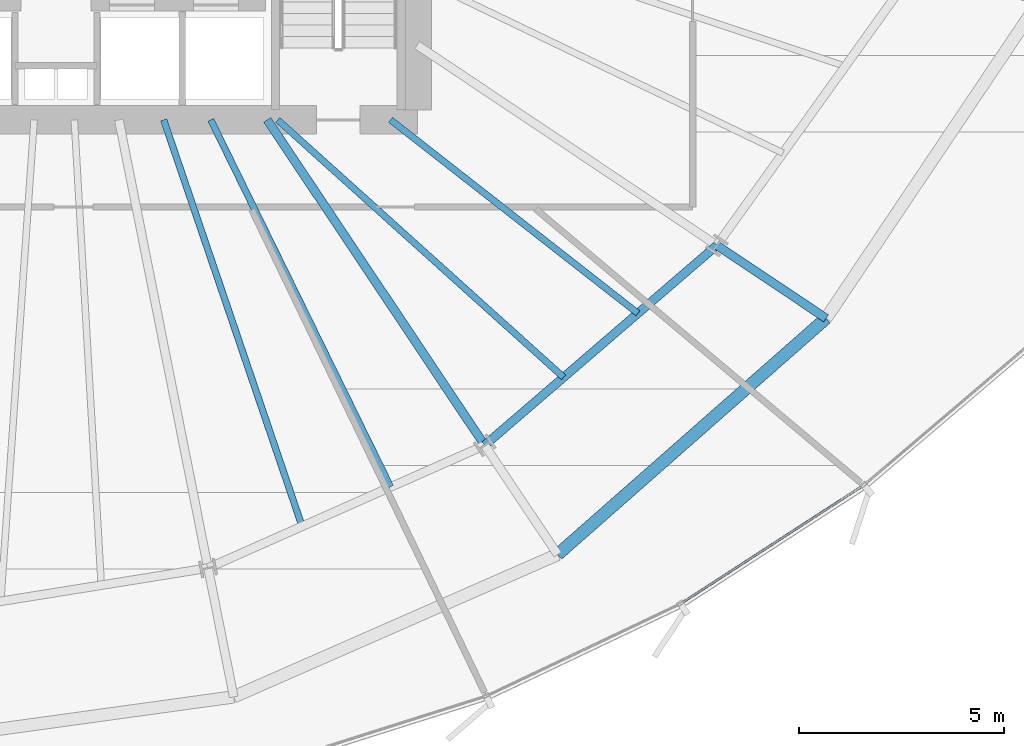
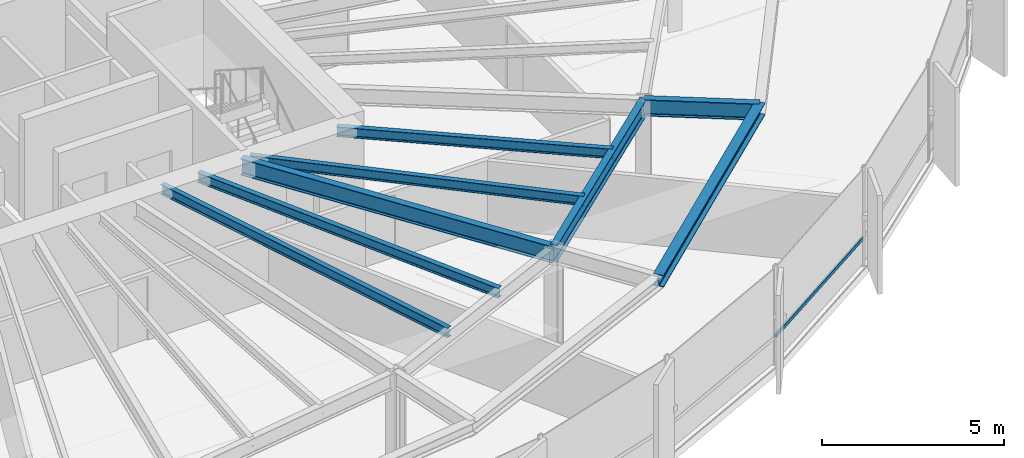
# One storey, part 13 of 35: 8 beams, 1 member, 1 element without a shape of its own.
"""IFC4 building model written with IfcOpenShell, lengths in metres."""

from ifc_helpers import new_model, si_unit, direction, frame, origin, origin_2d, place, context, subcontext, project, spatial, hollow_rectangle, i_section, extrude, source, transform, mapped, material, layer, layer_set, material_profile, profile_set, type_object, element, aggregate, save


model = new_model("IFC4")

# Units and contexts
model_context = context("Model", 3, precision=1e-05, world=origin(), true_north=direction((0.0, 1.0)))
body_context = subcontext(model_context, "Body", "Model", "MODEL_VIEW")
ifc_project = project(units=[si_unit("LENGTHUNIT", "METRE"), si_unit("AREAUNIT", "SQUARE_METRE"), si_unit("VOLUMEUNIT", "CUBIC_METRE"), si_unit("PLANEANGLEUNIT", "RADIAN"), si_unit("MASSUNIT", "GRAM", prefix="KILO"), si_unit("THERMODYNAMICTEMPERATUREUNIT", "KELVIN")], contexts=[model_context])

# Site, building, storey
site_placement = place(None, origin())
site = spatial("IfcSite", under=ifc_project, at=site_placement, CompositionType="ELEMENT")
building_placement = place(site_placement, origin())
building = spatial("IfcBuilding", under=site, at=building_placement, Name="Kethvar Cultural Tower", CompositionType="ELEMENT")
storey_placement = place(building_placement, frame((0.0, 0.0, 89.199951171875)))
storey = spatial("IfcBuildingStorey", under=building, at=storey_placement, Name="L21", CompositionType="ELEMENT", Elevation=89.199951171875)

# Beams
ifc_material_1 = material(Name="Steel S355J2", Category="steel")
ifc_material_profile_1 = material_profile(ifc_material_1, i_section(OverallWidth=0.2099609375, OverallDepth=0.550048828125, WebThickness=0.010986328125, FlangeThickness=0.01708984375, FilletRadius=0.02392578125, at=origin_2d()), Name="Steel S355J2 — IPE550")
ifc_profile_set_1 = profile_set([ifc_material_profile_1], Name="Steel S355J2 — IPE550")
beam_type_1 = type_object("IfcBeamType", Name="BM-IPE550", PredefinedType="BEAM", material=ifc_profile_set_1)
shared_shape_1 = source(origin(), body_context, "Body", "SweptSolid", [
    extrude(i_section(OverallWidth=0.2099609375, OverallDepth=0.550048828125, WebThickness=0.010986328125, FlangeThickness=0.01708984375, FilletRadius=0.02392578125, at=origin_2d()), origin(), (0.0, 0.0, 1.0), 3.199951171875),
])
beam_1_placement = place(storey_placement, frame((62.898681640625, 17.043212890625, 3.072998046875), z_axis=(0.831462943996, -0.555580212716, 0.0), x_axis=(0.555580212716, 0.831462943996, 0.0)))
element("IfcBeam", 1, at=beam_1_placement, inside=storey, type_object=beam_type_1, Name="L21 Perimeter Cantilever Beam RC-15", PredefinedType="BEAM", context=body_context, shape_type="MappedRepresentation", body=[
    mapped(shared_shape_1, transform((0.0, 0.0, 0.0), scale=1.0)),
])
shared_shape_2 = source(origin(), body_context, "Body", "SweptSolid", [
    extrude(i_section(OverallWidth=0.2099609375, OverallDepth=0.550048828125, WebThickness=0.010986328125, FlangeThickness=0.01708984375, FilletRadius=0.02392578125, at=origin_2d()), origin(), (0.0, 0.0, 1.0), 9.534423828125),
])
beam_2_placement = place(storey_placement, frame((51.945068359375, 20.10009765625, 3.072998046875), z_axis=(0.555550817894, -0.831482584747, 0.0), x_axis=(0.831482584747, 0.555550817894, 0.0)))
element("IfcBeam", 2, at=beam_2_placement, inside=storey, type_object=beam_type_1, Name="L21 Primary Radial Beam RB-14", PredefinedType="BEAM", context=body_context, shape_type="MappedRepresentation", body=[
    mapped(shared_shape_2, transform((0.0, 0.0, 0.0), scale=1.0)),
])
ifc_material_profile_2 = material_profile(ifc_material_1, i_section(OverallWidth=0.159912109375, OverallDepth=0.330078125, WebThickness=0.007568359375, FlangeThickness=0.011474609375, FilletRadius=0.01806640625, at=origin_2d()), Name="Steel S355J2 — IPE330")
ifc_profile_set_2 = profile_set([ifc_material_profile_2], Name="Steel S355J2 — IPE330")
beam_type_2 = type_object("IfcBeamType", Name="BM-J330", PredefinedType="JOIST", material=ifc_profile_set_2)
shared_shape_3 = source(origin(), body_context, "Body", "SweptSolid", [
    extrude(i_section(OverallWidth=0.159912109375, OverallDepth=0.330078125, WebThickness=0.007568359375, FlangeThickness=0.011474609375, FilletRadius=0.01806640625, at=origin_2d()), origin(), (0.0, 0.0, 1.0), 10.45947265625),
])
beam_3_placement = place(storey_placement, frame((49.42236328125, 20.10009765625, 3.18310546875), z_axis=(0.322390188368, -0.94660687006, 0.0), x_axis=(0.94660687006, 0.322390188368, 0.0)))
element("IfcBeam", 3, at=beam_3_placement, inside=storey, type_object=beam_type_2, Name="L21 Composite Floor Joist J-13A", PredefinedType="JOIST", context=body_context, shape_type="MappedRepresentation", body=[
    mapped(shared_shape_3, transform((0.0, 0.0, 0.0), scale=1.0)),
])
shared_shape_4 = source(origin(), body_context, "Body", "SweptSolid", [
    extrude(i_section(OverallWidth=0.159912109375, OverallDepth=0.330078125, WebThickness=0.007568359375, FlangeThickness=0.011474609375, FilletRadius=0.01806640625, at=origin_2d()), origin(), (0.0, 0.0, 1.0), 9.959228515625),
])
beam_4_placement = place(storey_placement, frame((50.57080078125, 20.10009765625, 3.18310546875), z_axis=(0.439785134514, -0.898103020516, 0.0), x_axis=(0.898103020516, 0.439785134514, 0.0)))
element("IfcBeam", 4, at=beam_4_placement, inside=storey, type_object=beam_type_2, Name="L21 Composite Floor Joist J-13B", PredefinedType="JOIST", context=body_context, shape_type="MappedRepresentation", body=[
    mapped(shared_shape_4, transform((0.0, 0.0, 0.0), scale=1.0)),
])
shared_shape_5 = source(origin(), body_context, "Body", "SweptSolid", [
    extrude(i_section(OverallWidth=0.2099609375, OverallDepth=0.550048828125, WebThickness=0.010986328125, FlangeThickness=0.01708984375, FilletRadius=0.02392578125, at=origin_2d()), origin(), (0.0, 0.0, 1.0), 7.46484375),
])
beam_5_placement = place(storey_placement, frame((57.241943359375, 12.17236328125, 3.072998046875), z_axis=(0.757784075291, 0.652505398625, 0.0), x_axis=(-0.652505398625, 0.757784075291, 0.0)))
element("IfcBeam", 5, at=beam_5_placement, inside=storey, type_object=beam_type_1, Name="L21 Column Ring Tie Beam CR-14", PredefinedType="BEAM", context=body_context, shape_type="MappedRepresentation", body=[
    mapped(shared_shape_5, transform((0.0, 0.0, 0.0), scale=1.0)),
])
ifc_material_profile_3 = material_profile(ifc_material_1, i_section(OverallWidth=0.300048828125, OverallDepth=0.39990234375, WebThickness=0.013427734375, FlangeThickness=0.02392578125, FilletRadius=0.027099609375, at=origin_2d()), Name="Steel S355J2 — HEB400")
ifc_profile_set_3 = profile_set([ifc_material_profile_3], Name="Steel S355J2 — HEB400")
beam_type_3 = type_object("IfcBeamType", Name="BM-SP400", PredefinedType="SPANDREL", material=ifc_profile_set_3)
shared_shape_6 = source(origin(), body_context, "Body", "SweptSolid", [
    extrude(i_section(OverallWidth=0.300048828125, OverallDepth=0.39990234375, WebThickness=0.013427734375, FlangeThickness=0.02392578125, FilletRadius=0.027099609375, at=origin_2d()), origin(), (0.0, 0.0, 1.0), 8.71044921875),
])
beam_6_placement = place(storey_placement, frame((59.019775390625, 9.51171875, 3.14794921875), z_axis=(0.75077856833, 0.660553965498, 0.0), x_axis=(-0.660553965498, 0.75077856833, 0.0)))
element("IfcBeam", 6, at=beam_6_placement, inside=storey, type_object=beam_type_3, Name="L21 Perimeter Spandrel Beam SP-14", PredefinedType="SPANDREL", context=body_context, shape_type="MappedRepresentation", body=[
    mapped(shared_shape_6, transform((0.0, 0.0, 0.0), scale=1.0)),
])
shared_shape_7 = source(origin(), body_context, "Body", "SweptSolid", [
    extrude(i_section(OverallWidth=0.159912109375, OverallDepth=0.330078125, WebThickness=0.007568359375, FlangeThickness=0.011474609375, FilletRadius=0.01806640625, at=origin_2d()), origin(), (0.0, 0.0, 1.0), 9.372802734375),
])
beam_7_placement = place(storey_placement, frame((52.199951171875, 20.10009765625, 3.18310546875), z_axis=(0.743151656479, -0.669123019685, 0.0), x_axis=(0.669123019685, 0.743151656479, 0.0)))
element("IfcBeam", 7, at=beam_7_placement, inside=storey, type_object=beam_type_2, Name="L21 Composite Floor Joist J-14A", PredefinedType="JOIST", context=body_context, shape_type="MappedRepresentation", body=[
    mapped(shared_shape_7, transform((0.0, 0.0, 0.0), scale=1.0)),
])
shared_shape_8 = source(origin(), body_context, "Body", "SweptSolid", [
    extrude(i_section(OverallWidth=0.159912109375, OverallDepth=0.330078125, WebThickness=0.007568359375, FlangeThickness=0.011474609375, FilletRadius=0.01806640625, at=origin_2d()), origin(), (0.0, 0.0, 1.0), 7.649658203125),
])
beam_8_placement = place(storey_placement, frame((54.949951171875, 20.10009765625, 3.18310546875), z_axis=(0.787671994752, -0.616094821179, 0.0), x_axis=(0.616094821179, 0.787671994752, 0.0)))
element("IfcBeam", 8, at=beam_8_placement, inside=storey, type_object=beam_type_2, Name="L21 Composite Floor Joist J-14B", PredefinedType="JOIST", context=body_context, shape_type="MappedRepresentation", body=[
    mapped(shared_shape_8, transform((0.0, 0.0, 0.0), scale=1.0)),
])

# Curtain wall, member
ifc_material_2 = material(Name="Aluminium 6063-T6", Category="aluminium")
ifc_layer = layer(ifc_material_2, 0.179931640625, Name="Aluminium 6063-T6", Category="aluminium")
ifc_layer_set = layer_set([ifc_layer], Name="Aluminium 6063-T6 (180 mm)")
curtain_wall_type = type_object("IfcCurtainWallType", Name="CW-SYS-03-Z2", PredefinedType="NOTDEFINED", material=ifc_layer_set)
curtain_wall_placement = place(storey_placement, origin())
curtain_wall = element("IfcCurtainWall", 9, at=curtain_wall_placement, inside=storey, type_object=curtain_wall_type, Name="L21 Curtain Wall Run 05", PredefinedType="NOTDEFINED")
ifc_material_profile_4 = material_profile(ifc_material_2, hollow_rectangle(XDim=0.054931640625, YDim=0.1201171875, WallThickness=0.00390625, at=origin_2d()), Name="Aluminium 6063-T6 — RHS120x55x4")
ifc_profile_set_4 = profile_set([ifc_material_profile_4], Name="Aluminium 6063-T6 — RHS120x55x4")
member_type = type_object("IfcMemberType", Name="CW-SYS-03-Z2-TRN", PredefinedType="USERDEFINED", material=ifc_profile_set_4)
shared_shape_9 = source(origin(), body_context, "Body", "SweptSolid", [
    extrude(hollow_rectangle(XDim=0.054931640625, YDim=0.1201171875, WallThickness=0.00390625, at=origin_2d()), origin(), (0.0, 0.0, 1.0), 5.243896484375),
])
member_placement = place(storey_placement, frame((62.052490234375, 8.3359375, 0.949951171875), z_axis=(0.839396486521, 0.543519584206, 0.0), x_axis=(-0.543519584206, 0.839396486521, 0.0)))
member = element("IfcMember", 10, at=member_placement, type_object=member_type, Name="CW-L21-R05 Transom 5", ObjectType="TRANSOM", PredefinedType="USERDEFINED", context=body_context, shape_type="MappedRepresentation", body=[
    mapped(shared_shape_9, transform((0.0, 0.0, 0.0), scale=1.0)),
])
aggregate(curtain_wall, [member])

save(model, "model.ifc")
